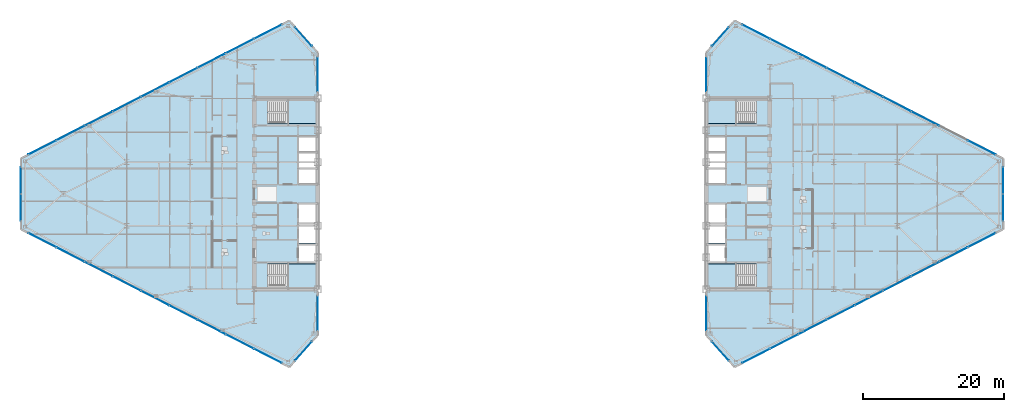
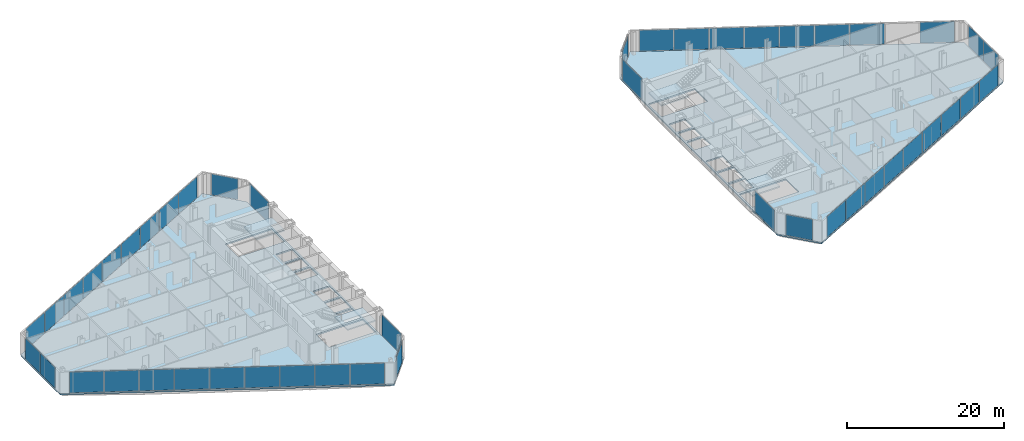
# One storey, part 14 of 24: 47 plates, 6 slabs, 18 elements without a shape of their own.
"""IFC4 building model written with IfcOpenShell, lengths in metres."""

from ifc_helpers import new_model, si_unit, direction, frame, origin, origin_2d, place, context, subcontext, project, spatial, polyline, rectangle, outline, extrude, source, transform, mapped, material, layer, layer_set, type_object, type_shapes, element, aggregate, save


model = new_model("IFC4")

# Units and contexts
model_context = context("Model", 3, precision=1e-05, world=origin(), true_north=direction((0.0, 1.0)))
body_context = subcontext(model_context, "Body", "Model", "MODEL_VIEW")
ifc_project = project(units=[si_unit("LENGTHUNIT", "METRE"), si_unit("AREAUNIT", "SQUARE_METRE"), si_unit("VOLUMEUNIT", "CUBIC_METRE"), si_unit("PLANEANGLEUNIT", "RADIAN"), si_unit("MASSUNIT", "GRAM", prefix="KILO")], contexts=[model_context])

# Site, building, storey
site_placement = place(None, origin())
site = spatial("IfcSite", under=ifc_project, at=site_placement, CompositionType="ELEMENT")
building_placement = place(site_placement, origin())
building = spatial("IfcBuilding", under=site, at=building_placement, Name="Seokmaru Belvedere", CompositionType="ELEMENT")
storey_placement = place(building_placement, frame((0.0, 0.0, 124.800048828125)))
storey = spatial("IfcBuildingStorey", under=building, at=storey_placement, Name="L33", CompositionType="ELEMENT", Elevation=124.800048828125)

# Stair, slab
ifc_material_1 = material(Name="Concrete C40 (40 MPa)", Category="concrete")
stair_type = type_object("IfcStairType", Name="Typical Tower Core Dog-Leg Stair 3600", PredefinedType="TWO_STRAIGHT_RUN_STAIR", material=ifc_material_1)
stair_1_placement = place(storey_placement, origin())
stair_1 = element("IfcStair", 1, at=stair_1_placement, inside=storey, type_object=stair_type, Name="L33 Special Escape Stair ST-W1", PredefinedType="TWO_STRAIGHT_RUN_STAIR")
ifc_layer_1 = layer(ifc_material_1, 0.199951171875)
ifc_layer_set_1 = layer_set([ifc_layer_1], Name="Concrete C40 (40 MPa)")
slab_type_1 = type_object("IfcSlabType", Name="Reinforced Concrete Stair Landing Slab 200", PredefinedType="LANDING", material=ifc_layer_set_1)
slab_1_placement = place(storey_placement, frame((0.0, 0.0, 1.599853515625)))
slab_1 = element("IfcSlab", 2, at=slab_1_placement, type_object=slab_type_1, Name="ST-W1 landing 1", PredefinedType="LANDING", context=body_context, shape_type="SweptSolid", body=[
    extrude(outline(polyline([(-31.8798828125, -13.239990234375), (-27.760009765625, -13.239990234375), (-27.760009765625, -9.949951171875), (-31.8798828125, -9.949951171875), (-31.8798828125, -13.239990234375)])), origin(), (0.0, 0.0, 1.0), 0.2001953125),
])
aggregate(stair_1, [slab_1])

stair_2_placement = place(storey_placement, origin())
stair_2 = element("IfcStair", 3, at=stair_2_placement, inside=storey, type_object=stair_type, Name="L33 Special Escape Stair ST-W2", PredefinedType="TWO_STRAIGHT_RUN_STAIR")
slab_2_placement = place(storey_placement, frame((0.0, 0.0, 1.599853515625)))
slab_2 = element("IfcSlab", 4, at=slab_2_placement, type_object=slab_type_1, Name="ST-W2 landing 1", PredefinedType="LANDING", context=body_context, shape_type="SweptSolid", body=[
    extrude(outline(polyline([(-31.8798828125, 9.949951171875), (-27.760009765625, 9.949951171875), (-27.760009765625, 13.239990234375), (-31.8798828125, 13.239990234375), (-31.8798828125, 9.949951171875)])), origin(), (0.0, 0.0, 1.0), 0.2001953125),
])
aggregate(stair_2, [slab_2])

stair_3_placement = place(storey_placement, origin())
stair_3 = element("IfcStair", 5, at=stair_3_placement, inside=storey, type_object=stair_type, Name="L33 Special Escape Stair ST-E1", PredefinedType="TWO_STRAIGHT_RUN_STAIR")
slab_3_placement = place(storey_placement, frame((0.0, 0.0, 1.599853515625)))
slab_3 = element("IfcSlab", 6, at=slab_3_placement, type_object=slab_type_1, Name="ST-E1 landing 1", PredefinedType="LANDING", context=body_context, shape_type="SweptSolid", body=[
    extrude(outline(polyline([(27.760009765625, -13.239990234375), (31.8798828125, -13.239990234375), (31.8798828125, -9.949951171875), (27.760009765625, -9.949951171875), (27.760009765625, -13.239990234375)])), origin(), (0.0, 0.0, 1.0), 0.2001953125),
])
aggregate(stair_3, [slab_3])

stair_4_placement = place(storey_placement, origin())
stair_4 = element("IfcStair", 7, at=stair_4_placement, inside=storey, type_object=stair_type, Name="L33 Special Escape Stair ST-E2", PredefinedType="TWO_STRAIGHT_RUN_STAIR")
slab_4_placement = place(storey_placement, frame((0.0, 0.0, 1.599853515625)))
slab_4 = element("IfcSlab", 8, at=slab_4_placement, type_object=slab_type_1, Name="ST-E2 landing 1", PredefinedType="LANDING", context=body_context, shape_type="SweptSolid", body=[
    extrude(outline(polyline([(27.760009765625, 9.949951171875), (31.8798828125, 9.949951171875), (31.8798828125, 13.239990234375), (27.760009765625, 13.239990234375), (27.760009765625, 9.949951171875)])), origin(), (0.0, 0.0, 1.0), 0.2001953125),
])
aggregate(stair_4, [slab_4])

# Slabs
ifc_layer_2 = layer(ifc_material_1, 0.219970703125)
ifc_layer_set_2 = layer_set([ifc_layer_2], Name="Concrete C40 (40 MPa)")
slab_type_2 = type_object("IfcSlabType", Name="Typical Tower Composite Floor Slab 220", PredefinedType="FLOOR", material=ifc_layer_set_2)
slab_5_placement = place(storey_placement, frame((0.0, 0.0, -0.219970703125)))
element("IfcSlab", 9, at=slab_5_placement, inside=storey, type_object=slab_type_2, Name="L33 West Leg Floor Slab", PredefinedType="FLOOR", context=body_context, shape_type="SweptSolid", body=[
    extrude(outline(polyline([(-27.5, -20.0), (-27.5, 20.0), (-31.5, 24.5), (-69.5, 5.0), (-69.5, -5.0), (-31.5, -24.5), (-27.5, -20.0)]), holes=[polyline([(-34.60009765625, -13.25), (-27.75, -13.25), (-27.75, -9.949951171875), (-34.60009765625, -9.949951171875), (-34.60009765625, -13.25)]), polyline([(-34.60009765625, 9.949951171875), (-27.75, 9.949951171875), (-27.75, 13.25), (-34.60009765625, 13.25), (-34.60009765625, 9.949951171875)]), polyline([(-30.14990234375, -9.550048828125), (-27.75, -9.550048828125), (-27.75, -7.25), (-30.14990234375, -7.25), (-30.14990234375, -9.550048828125)]), polyline([(-30.14990234375, -6.949951171875), (-27.75, -6.949951171875), (-27.75, -4.35009765625), (-30.14990234375, -4.35009765625), (-30.14990234375, -6.949951171875)]), polyline([(-30.14990234375, -4.050048828125), (-27.75, -4.050048828125), (-27.75, -1.449951171875), (-30.14990234375, -1.449951171875), (-30.14990234375, -4.050048828125)]), polyline([(-30.14990234375, 1.449951171875), (-27.75, 1.449951171875), (-27.75, 3.449951171875), (-30.14990234375, 3.449951171875), (-30.14990234375, 1.449951171875)]), polyline([(-30.14990234375, 3.75), (-27.75, 3.75), (-27.75, 5.75), (-30.14990234375, 5.75), (-30.14990234375, 3.75)]), polyline([(-30.14990234375, 6.050048828125), (-27.75, 6.050048828125), (-27.75, 8.050048828125), (-30.14990234375, 8.050048828125), (-30.14990234375, 6.050048828125)])]), origin(), (0.0, 0.0, 1.0), 0.219970703125),
])
slab_6_placement = place(storey_placement, frame((0.0, 0.0, -0.219970703125)))
element("IfcSlab", 10, at=slab_6_placement, inside=storey, type_object=slab_type_2, Name="L33 East Leg Floor Slab", PredefinedType="FLOOR", context=body_context, shape_type="SweptSolid", body=[
    extrude(outline(polyline([(31.5, -24.5), (69.5, -5.0), (69.5, 5.0), (31.5, 24.5), (27.5, 20.0), (27.5, -20.0), (31.5, -24.5)]), holes=[polyline([(27.75, -13.25), (34.60009765625, -13.25), (34.60009765625, -9.949951171875), (27.75, -9.949951171875), (27.75, -13.25)]), polyline([(27.75, 9.949951171875), (34.60009765625, 9.949951171875), (34.60009765625, 13.25), (27.75, 13.25), (27.75, 9.949951171875)]), polyline([(27.75, -9.550048828125), (30.14990234375, -9.550048828125), (30.14990234375, -7.25), (27.75, -7.25), (27.75, -9.550048828125)]), polyline([(27.75, -6.949951171875), (30.14990234375, -6.949951171875), (30.14990234375, -4.35009765625), (27.75, -4.35009765625), (27.75, -6.949951171875)]), polyline([(27.75, -4.050048828125), (30.14990234375, -4.050048828125), (30.14990234375, -1.449951171875), (27.75, -1.449951171875), (27.75, -4.050048828125)]), polyline([(27.75, 1.449951171875), (30.14990234375, 1.449951171875), (30.14990234375, 3.449951171875), (27.75, 3.449951171875), (27.75, 1.449951171875)]), polyline([(27.75, 3.75), (30.14990234375, 3.75), (30.14990234375, 5.75), (27.75, 5.75), (27.75, 3.75)]), polyline([(27.75, 6.050048828125), (30.14990234375, 6.050048828125), (30.14990234375, 8.050048828125), (27.75, 8.050048828125), (27.75, 6.050048828125)])]), origin(), (0.0, 0.0, 1.0), 0.219970703125),
])

# Curtain wall, plate
ifc_material_2 = material(Name="Bronze Triple Insulating Glass", Category="glass")
ifc_layer_3 = layer(ifc_material_2, 0.195068359375)
ifc_layer_set_3 = layer_set([ifc_layer_3], Name="Bronze Triple Insulating Glass")
curtain_wall_type = type_object("IfcCurtainWallType", Name="Sky-Lobby and Mid-Rise Curtain Wall System CW-4", PredefinedType="NOTDEFINED", material=ifc_layer_set_3)
curtain_wall_1_placement = place(storey_placement, origin())
curtain_wall_1 = element("IfcCurtainWall", 11, at=curtain_wall_1_placement, inside=storey, type_object=curtain_wall_type, Name="L33 Curtain Wall WSP_1", PredefinedType="NOTDEFINED")
ifc_layer_4 = layer(ifc_material_2, 0.035888671875)
ifc_layer_set_4 = layer_set([ifc_layer_4], Name="Bronze Triple Insulating Glass")
plate_type = type_object("IfcPlateType", Name="Bronze Triple Vision Glazing Panel 36", PredefinedType="CURTAIN_PANEL", material=ifc_layer_set_4)
shared_shape_1 = source(origin(), body_context, "Body", "SweptSolid", [
    extrude(rectangle(XDim=4.909912109375, YDim=0.035888671875, at=origin_2d()), origin(), (0.0, 0.0, 1.0), 3.25),
])
plate_1_placement = place(storey_placement, frame((-27.5, -16.905029296875, 0.06494140625), z_axis=(0.0, 0.0, 1.0), x_axis=(0.0, 1.0, 0.0)))
plate_1 = element("IfcPlate", 12, at=plate_1_placement, type_object=plate_type, Name="CW:L33:WSP_1 Glazing Panel 1-1", PredefinedType="CURTAIN_PANEL", context=body_context, shape_type="MappedRepresentation", body=[
    mapped(shared_shape_1, transform((0.0, 0.0, 0.0), scale=1.0)),
])
aggregate(curtain_wall_1, [plate_1])

curtain_wall_2_placement = place(storey_placement, origin())
curtain_wall_2 = element("IfcCurtainWall", 13, at=curtain_wall_2_placement, inside=storey, type_object=curtain_wall_type, Name="L33 Curtain Wall WSP_2", PredefinedType="NOTDEFINED")
plate_2_placement = place(storey_placement, frame((-27.5, 16.905029296875, 0.06494140625), z_axis=(0.0, 0.0, 1.0), x_axis=(0.0, 1.0, 0.0)))
plate_2 = element("IfcPlate", 14, at=plate_2_placement, type_object=plate_type, Name="CW:L33:WSP_2 Glazing Panel 1-1", PredefinedType="CURTAIN_PANEL", context=body_context, shape_type="MappedRepresentation", body=[
    mapped(shared_shape_1, transform((0.0, 0.0, 0.0), scale=1.0)),
])
aggregate(curtain_wall_2, [plate_2])

curtain_wall_3_placement = place(storey_placement, origin())
curtain_wall_3 = element("IfcCurtainWall", 15, at=curtain_wall_3_placement, inside=storey, type_object=curtain_wall_type, Name="L33 Curtain Wall ESP_1", PredefinedType="NOTDEFINED")
plate_3_placement = place(storey_placement, frame((27.5, -16.905029296875, 0.06494140625), z_axis=(0.0, 0.0, 1.0), x_axis=(0.0, -1.0, 0.0)))
plate_3 = element("IfcPlate", 16, at=plate_3_placement, type_object=plate_type, Name="CW:L33:ESP_1 Glazing Panel 1-1", PredefinedType="CURTAIN_PANEL", context=body_context, shape_type="MappedRepresentation", body=[
    mapped(shared_shape_1, transform((0.0, 0.0, 0.0), scale=1.0)),
])
aggregate(curtain_wall_3, [plate_3])

curtain_wall_4_placement = place(storey_placement, origin())
curtain_wall_4 = element("IfcCurtainWall", 17, at=curtain_wall_4_placement, inside=storey, type_object=curtain_wall_type, Name="L33 Curtain Wall ESP_2", PredefinedType="NOTDEFINED")
plate_4_placement = place(storey_placement, frame((27.5, 16.905029296875, 0.06494140625), z_axis=(0.0, 0.0, 1.0), x_axis=(0.0, -1.0, 0.0)))
plate_4 = element("IfcPlate", 18, at=plate_4_placement, type_object=plate_type, Name="CW:L33:ESP_2 Glazing Panel 1-1", PredefinedType="CURTAIN_PANEL", context=body_context, shape_type="MappedRepresentation", body=[
    mapped(shared_shape_1, transform((0.0, 0.0, 0.0), scale=1.0)),
])
aggregate(curtain_wall_4, [plate_4])

curtain_wall_5_placement = place(storey_placement, origin())
curtain_wall_5 = element("IfcCurtainWall", 19, at=curtain_wall_5_placement, inside=storey, type_object=curtain_wall_type, Name="L33 Curtain Wall WF2", PredefinedType="NOTDEFINED")
shared_shape_2 = source(origin(), body_context, "Body", "SweptSolid", [
    extrude(rectangle(XDim=3.580810546875, YDim=0.035888671875, at=origin_2d()), origin(), (0.0, 0.0, 1.0), 3.25),
])
plate_5_placement = place(storey_placement, frame((-29.5, 22.25, 0.06494140625), z_axis=(0.0, 0.0, 1.0), x_axis=(-0.664363325694, 0.747409774804, 0.0)))
plate_5 = element("IfcPlate", 20, at=plate_5_placement, type_object=plate_type, Name="CW:L33:WF2 Glazing Panel 1-1", PredefinedType="CURTAIN_PANEL", context=body_context, shape_type="MappedRepresentation", body=[
    mapped(shared_shape_2, transform((0.0, 0.0, 0.0), scale=1.0)),
])
aggregate(curtain_wall_5, [plate_5])

curtain_wall_6_placement = place(storey_placement, origin())
curtain_wall_6 = element("IfcCurtainWall", 21, at=curtain_wall_6_placement, inside=storey, type_object=curtain_wall_type, Name="L33 Curtain Wall WF6", PredefinedType="NOTDEFINED")
plate_6_placement = place(storey_placement, frame((-29.5, -22.25, 0.06494140625), z_axis=(0.0, 0.0, 1.0), x_axis=(0.664363325694, 0.747409774804, 0.0)))
plate_6 = element("IfcPlate", 22, at=plate_6_placement, type_object=plate_type, Name="CW:L33:WF6 Glazing Panel 1-1", PredefinedType="CURTAIN_PANEL", context=body_context, shape_type="MappedRepresentation", body=[
    mapped(shared_shape_2, transform((0.0, 0.0, 0.0), scale=1.0)),
])
aggregate(curtain_wall_6, [plate_6])

curtain_wall_7_placement = place(storey_placement, origin())
curtain_wall_7 = element("IfcCurtainWall", 23, at=curtain_wall_7_placement, inside=storey, type_object=curtain_wall_type, Name="L33 Curtain Wall EF4", PredefinedType="NOTDEFINED")
plate_7_placement = place(storey_placement, frame((29.5, 22.25, 0.06494140625), z_axis=(0.0, 0.0, 1.0), x_axis=(-0.664363325694, -0.747409774804, 0.0)))
plate_7 = element("IfcPlate", 24, at=plate_7_placement, type_object=plate_type, Name="CW:L33:EF4 Glazing Panel 1-1", PredefinedType="CURTAIN_PANEL", context=body_context, shape_type="MappedRepresentation", body=[
    mapped(shared_shape_2, transform((0.0, 0.0, 0.0), scale=1.0)),
])
aggregate(curtain_wall_7, [plate_7])

curtain_wall_8_placement = place(storey_placement, origin())
curtain_wall_8 = element("IfcCurtainWall", 25, at=curtain_wall_8_placement, inside=storey, type_object=curtain_wall_type, Name="L33 Curtain Wall EF6", PredefinedType="NOTDEFINED")
plate_8_placement = place(storey_placement, frame((29.5, -22.25, 0.06494140625), z_axis=(0.0, 0.0, 1.0), x_axis=(0.664363325694, -0.747409774804, 0.0)))
plate_8 = element("IfcPlate", 26, at=plate_8_placement, type_object=plate_type, Name="CW:L33:EF6 Glazing Panel 1-1", PredefinedType="CURTAIN_PANEL", context=body_context, shape_type="MappedRepresentation", body=[
    mapped(shared_shape_2, transform((0.0, 0.0, 0.0), scale=1.0)),
])
aggregate(curtain_wall_8, [plate_8])

# Curtain wall, plates
curtain_wall_9_placement = place(storey_placement, origin())
curtain_wall_9 = element("IfcCurtainWall", 27, at=curtain_wall_9_placement, inside=storey, type_object=curtain_wall_type, Name="L33 Curtain Wall WF3", PredefinedType="NOTDEFINED")
shared_shape_3 = source(origin(), body_context, "Body", "SweptSolid", [
    extrude(rectangle(XDim=4.38525390625, YDim=0.035888671875, at=origin_2d()), origin(), (0.0, 0.0, 1.0), 3.25),
])
plate_9_placement = place(storey_placement, frame((-34.5361328125, 22.94189453125, 0.06494140625), z_axis=(0.0, 0.0, 1.0), x_axis=(-0.889695432562, -0.456554528263, 0.0)))
plate_9 = element("IfcPlate", 28, at=plate_9_placement, type_object=plate_type, Name="CW:L33:WF3 Glazing Panel 1-1", PredefinedType="CURTAIN_PANEL", context=body_context, shape_type="MappedRepresentation", body=[
    mapped(shared_shape_3, transform((0.0, 0.0, 0.0), scale=1.0)),
])
plate_10_placement = place(storey_placement, frame((-66.4638671875, 6.55810546875, 0.06494140625), z_axis=(0.0, 0.0, 1.0), x_axis=(-0.889695432562, -0.456554528263, 0.0)))
plate_10 = element("IfcPlate", 29, at=plate_10_placement, type_object=plate_type, Name="CW:L33:WF3 Glazing Panel 9-1", PredefinedType="CURTAIN_PANEL", context=body_context, shape_type="MappedRepresentation", body=[
    mapped(shared_shape_3, transform((0.0, 0.0, 0.0), scale=1.0)),
])

curtain_wall_10_placement = place(storey_placement, origin())
curtain_wall_10 = element("IfcCurtainWall", 30, at=curtain_wall_10_placement, inside=storey, type_object=curtain_wall_type, Name="L33 Curtain Wall WF5", PredefinedType="NOTDEFINED")
plate_11_placement = place(storey_placement, frame((-66.4638671875, -6.55810546875, 0.06494140625), z_axis=(0.0, 0.0, 1.0), x_axis=(0.889695432562, -0.456554528263, 0.0)))
plate_11 = element("IfcPlate", 31, at=plate_11_placement, type_object=plate_type, Name="CW:L33:WF5 Glazing Panel 1-1", PredefinedType="CURTAIN_PANEL", context=body_context, shape_type="MappedRepresentation", body=[
    mapped(shared_shape_3, transform((0.0, 0.0, 0.0), scale=1.0)),
])
plate_12_placement = place(storey_placement, frame((-34.5361328125, -22.94189453125, 0.06494140625), z_axis=(0.0, 0.0, 1.0), x_axis=(0.889695432562, -0.456554528263, 0.0)))
plate_12 = element("IfcPlate", 32, at=plate_12_placement, type_object=plate_type, Name="CW:L33:WF5 Glazing Panel 9-1", PredefinedType="CURTAIN_PANEL", context=body_context, shape_type="MappedRepresentation", body=[
    mapped(shared_shape_3, transform((0.0, 0.0, 0.0), scale=1.0)),
])

curtain_wall_11_placement = place(storey_placement, origin())
curtain_wall_11 = element("IfcCurtainWall", 33, at=curtain_wall_11_placement, inside=storey, type_object=curtain_wall_type, Name="L33 Curtain Wall EF1", PredefinedType="NOTDEFINED")
plate_13_placement = place(storey_placement, frame((34.5361328125, -22.94189453125, 0.06494140625), z_axis=(0.0, 0.0, 1.0), x_axis=(0.889695432562, 0.456554528263, 0.0)))
plate_13 = element("IfcPlate", 34, at=plate_13_placement, type_object=plate_type, Name="CW:L33:EF1 Glazing Panel 1-1", PredefinedType="CURTAIN_PANEL", context=body_context, shape_type="MappedRepresentation", body=[
    mapped(shared_shape_3, transform((0.0, 0.0, 0.0), scale=1.0)),
])
plate_14_placement = place(storey_placement, frame((66.4638671875, -6.55810546875, 0.06494140625), z_axis=(0.0, 0.0, 1.0), x_axis=(0.889695432562, 0.456554528263, 0.0)))
plate_14 = element("IfcPlate", 35, at=plate_14_placement, type_object=plate_type, Name="CW:L33:EF1 Glazing Panel 9-1", PredefinedType="CURTAIN_PANEL", context=body_context, shape_type="MappedRepresentation", body=[
    mapped(shared_shape_3, transform((0.0, 0.0, 0.0), scale=1.0)),
])

curtain_wall_12_placement = place(storey_placement, origin())
curtain_wall_12 = element("IfcCurtainWall", 36, at=curtain_wall_12_placement, inside=storey, type_object=curtain_wall_type, Name="L33 Curtain Wall EF3", PredefinedType="NOTDEFINED")
plate_15_placement = place(storey_placement, frame((66.4638671875, 6.55810546875, 0.06494140625), z_axis=(0.0, 0.0, 1.0), x_axis=(-0.889695432562, 0.456554528263, 0.0)))
plate_15 = element("IfcPlate", 37, at=plate_15_placement, type_object=plate_type, Name="CW:L33:EF3 Glazing Panel 1-1", PredefinedType="CURTAIN_PANEL", context=body_context, shape_type="MappedRepresentation", body=[
    mapped(shared_shape_3, transform((0.0, 0.0, 0.0), scale=1.0)),
])
plate_16_placement = place(storey_placement, frame((34.5361328125, 22.94189453125, 0.06494140625), z_axis=(0.0, 0.0, 1.0), x_axis=(-0.889695432562, 0.456554528263, 0.0)))
plate_16 = element("IfcPlate", 38, at=plate_16_placement, type_object=plate_type, Name="CW:L33:EF3 Glazing Panel 9-1", PredefinedType="CURTAIN_PANEL", context=body_context, shape_type="MappedRepresentation", body=[
    mapped(shared_shape_3, transform((0.0, 0.0, 0.0), scale=1.0)),
])

# Plate
shared_shape_4 = source(origin(), body_context, "Body", "SweptSolid", [
    extrude(rectangle(XDim=4.420166015625, YDim=0.035888671875, at=origin_2d()), origin(), (0.0, 0.0, 1.0), 3.25),
])
plate_17_placement = place(storey_placement, frame((-38.515380859375, 20.89990234375, 0.06494140625), z_axis=(0.0, 0.0, 1.0), x_axis=(-0.889695432562, -0.456554528263, 0.0)))
plate_17 = element("IfcPlate", 39, at=plate_17_placement, type_object=plate_type, Name="CW:L33:WF3 Glazing Panel 2-1", PredefinedType="CURTAIN_PANEL", context=body_context, shape_type="MappedRepresentation", body=[
    mapped(shared_shape_4, transform((0.0, 0.0, 0.0), scale=1.0)),
])

plate_18_placement = place(storey_placement, frame((-42.51025390625, 18.85009765625, 0.06494140625), z_axis=(0.0, 0.0, 1.0), x_axis=(-0.889695432562, -0.456554528263, 0.0)))
plate_18 = element("IfcPlate", 40, at=plate_18_placement, type_object=plate_type, Name="CW:L33:WF3 Glazing Panel 3-1", PredefinedType="CURTAIN_PANEL", context=body_context, shape_type="MappedRepresentation", body=[
    mapped(shared_shape_4, transform((0.0, 0.0, 0.0), scale=1.0)),
])

plate_19_placement = place(storey_placement, frame((-46.505126953125, 16.800048828125, 0.06494140625), z_axis=(0.0, 0.0, 1.0), x_axis=(-0.889695432562, -0.456554528263, 0.0)))
plate_19 = element("IfcPlate", 41, at=plate_19_placement, type_object=plate_type, Name="CW:L33:WF3 Glazing Panel 4-1", PredefinedType="CURTAIN_PANEL", context=body_context, shape_type="MappedRepresentation", body=[
    mapped(shared_shape_4, transform((0.0, 0.0, 0.0), scale=1.0)),
])

plate_20_placement = place(storey_placement, frame((-50.5, 14.75, 0.06494140625), z_axis=(0.0, 0.0, 1.0), x_axis=(-0.889695432562, -0.456554528263, 0.0)))
plate_20 = element("IfcPlate", 42, at=plate_20_placement, type_object=plate_type, Name="CW:L33:WF3 Glazing Panel 5-1", PredefinedType="CURTAIN_PANEL", context=body_context, shape_type="MappedRepresentation", body=[
    mapped(shared_shape_4, transform((0.0, 0.0, 0.0), scale=1.0)),
])

plate_21_placement = place(storey_placement, frame((-54.494873046875, 12.699951171875, 0.06494140625), z_axis=(0.0, 0.0, 1.0), x_axis=(-0.889695432562, -0.456554528263, 0.0)))
plate_21 = element("IfcPlate", 43, at=plate_21_placement, type_object=plate_type, Name="CW:L33:WF3 Glazing Panel 6-1", PredefinedType="CURTAIN_PANEL", context=body_context, shape_type="MappedRepresentation", body=[
    mapped(shared_shape_4, transform((0.0, 0.0, 0.0), scale=1.0)),
])

plate_22_placement = place(storey_placement, frame((-58.48974609375, 10.64990234375, 0.06494140625), z_axis=(0.0, 0.0, 1.0), x_axis=(-0.889695432562, -0.456554528263, 0.0)))
plate_22 = element("IfcPlate", 44, at=plate_22_placement, type_object=plate_type, Name="CW:L33:WF3 Glazing Panel 7-1", PredefinedType="CURTAIN_PANEL", context=body_context, shape_type="MappedRepresentation", body=[
    mapped(shared_shape_4, transform((0.0, 0.0, 0.0), scale=1.0)),
])

plate_23_placement = place(storey_placement, frame((-62.484619140625, 8.60009765625, 0.06494140625), z_axis=(0.0, 0.0, 1.0), x_axis=(-0.889695432562, -0.456554528263, 0.0)))
plate_23 = element("IfcPlate", 45, at=plate_23_placement, type_object=plate_type, Name="CW:L33:WF3 Glazing Panel 8-1", PredefinedType="CURTAIN_PANEL", context=body_context, shape_type="MappedRepresentation", body=[
    mapped(shared_shape_4, transform((0.0, 0.0, 0.0), scale=1.0)),
])

aggregate(curtain_wall_9, [plate_9, plate_17, plate_18, plate_19, plate_20, plate_21, plate_22, plate_23, plate_10])

plate_24_placement = place(storey_placement, frame((-62.484619140625, -8.60009765625, 0.06494140625), z_axis=(0.0, 0.0, 1.0), x_axis=(0.889695432562, -0.456554528263, 0.0)))
plate_24 = element("IfcPlate", 46, at=plate_24_placement, type_object=plate_type, Name="CW:L33:WF5 Glazing Panel 2-1", PredefinedType="CURTAIN_PANEL", context=body_context, shape_type="MappedRepresentation", body=[
    mapped(shared_shape_4, transform((0.0, 0.0, 0.0), scale=1.0)),
])

plate_25_placement = place(storey_placement, frame((-58.48974609375, -10.64990234375, 0.06494140625), z_axis=(0.0, 0.0, 1.0), x_axis=(0.889695432562, -0.456554528263, 0.0)))
plate_25 = element("IfcPlate", 47, at=plate_25_placement, type_object=plate_type, Name="CW:L33:WF5 Glazing Panel 3-1", PredefinedType="CURTAIN_PANEL", context=body_context, shape_type="MappedRepresentation", body=[
    mapped(shared_shape_4, transform((0.0, 0.0, 0.0), scale=1.0)),
])

plate_26_placement = place(storey_placement, frame((-54.494873046875, -12.699951171875, 0.06494140625), z_axis=(0.0, 0.0, 1.0), x_axis=(0.889695432562, -0.456554528263, 0.0)))
plate_26 = element("IfcPlate", 48, at=plate_26_placement, type_object=plate_type, Name="CW:L33:WF5 Glazing Panel 4-1", PredefinedType="CURTAIN_PANEL", context=body_context, shape_type="MappedRepresentation", body=[
    mapped(shared_shape_4, transform((0.0, 0.0, 0.0), scale=1.0)),
])

plate_27_placement = place(storey_placement, frame((-50.5, -14.75, 0.06494140625), z_axis=(0.0, 0.0, 1.0), x_axis=(0.889695432562, -0.456554528263, 0.0)))
plate_27 = element("IfcPlate", 49, at=plate_27_placement, type_object=plate_type, Name="CW:L33:WF5 Glazing Panel 5-1", PredefinedType="CURTAIN_PANEL", context=body_context, shape_type="MappedRepresentation", body=[
    mapped(shared_shape_4, transform((0.0, 0.0, 0.0), scale=1.0)),
])

plate_28_placement = place(storey_placement, frame((-46.505126953125, -16.800048828125, 0.06494140625), z_axis=(0.0, 0.0, 1.0), x_axis=(0.889695432562, -0.456554528263, 0.0)))
plate_28 = element("IfcPlate", 50, at=plate_28_placement, type_object=plate_type, Name="CW:L33:WF5 Glazing Panel 6-1", PredefinedType="CURTAIN_PANEL", context=body_context, shape_type="MappedRepresentation", body=[
    mapped(shared_shape_4, transform((0.0, 0.0, 0.0), scale=1.0)),
])

plate_29_placement = place(storey_placement, frame((-42.51025390625, -18.85009765625, 0.06494140625), z_axis=(0.0, 0.0, 1.0), x_axis=(0.889695432562, -0.456554528263, 0.0)))
plate_29 = element("IfcPlate", 51, at=plate_29_placement, type_object=plate_type, Name="CW:L33:WF5 Glazing Panel 7-1", PredefinedType="CURTAIN_PANEL", context=body_context, shape_type="MappedRepresentation", body=[
    mapped(shared_shape_4, transform((0.0, 0.0, 0.0), scale=1.0)),
])

plate_30_placement = place(storey_placement, frame((-38.515380859375, -20.89990234375, 0.06494140625), z_axis=(0.0, 0.0, 1.0), x_axis=(0.889695432562, -0.456554528263, 0.0)))
plate_30 = element("IfcPlate", 52, at=plate_30_placement, type_object=plate_type, Name="CW:L33:WF5 Glazing Panel 8-1", PredefinedType="CURTAIN_PANEL", context=body_context, shape_type="MappedRepresentation", body=[
    mapped(shared_shape_4, transform((0.0, 0.0, 0.0), scale=1.0)),
])

aggregate(curtain_wall_10, [plate_11, plate_24, plate_25, plate_26, plate_27, plate_28, plate_29, plate_30, plate_12])

plate_31_placement = place(storey_placement, frame((38.515380859375, -20.89990234375, 0.06494140625), z_axis=(0.0, 0.0, 1.0), x_axis=(0.889695432562, 0.456554528263, 0.0)))
plate_31 = element("IfcPlate", 53, at=plate_31_placement, type_object=plate_type, Name="CW:L33:EF1 Glazing Panel 2-1", PredefinedType="CURTAIN_PANEL", context=body_context, shape_type="MappedRepresentation", body=[
    mapped(shared_shape_4, transform((0.0, 0.0, 0.0), scale=1.0)),
])

plate_32_placement = place(storey_placement, frame((42.51025390625, -18.85009765625, 0.06494140625), z_axis=(0.0, 0.0, 1.0), x_axis=(0.889695432562, 0.456554528263, 0.0)))
plate_32 = element("IfcPlate", 54, at=plate_32_placement, type_object=plate_type, Name="CW:L33:EF1 Glazing Panel 3-1", PredefinedType="CURTAIN_PANEL", context=body_context, shape_type="MappedRepresentation", body=[
    mapped(shared_shape_4, transform((0.0, 0.0, 0.0), scale=1.0)),
])

plate_33_placement = place(storey_placement, frame((46.505126953125, -16.800048828125, 0.06494140625), z_axis=(0.0, 0.0, 1.0), x_axis=(0.889695432562, 0.456554528263, 0.0)))
plate_33 = element("IfcPlate", 55, at=plate_33_placement, type_object=plate_type, Name="CW:L33:EF1 Glazing Panel 4-1", PredefinedType="CURTAIN_PANEL", context=body_context, shape_type="MappedRepresentation", body=[
    mapped(shared_shape_4, transform((0.0, 0.0, 0.0), scale=1.0)),
])

plate_34_placement = place(storey_placement, frame((50.5, -14.75, 0.06494140625), z_axis=(0.0, 0.0, 1.0), x_axis=(0.889695432562, 0.456554528263, 0.0)))
plate_34 = element("IfcPlate", 56, at=plate_34_placement, type_object=plate_type, Name="CW:L33:EF1 Glazing Panel 5-1", PredefinedType="CURTAIN_PANEL", context=body_context, shape_type="MappedRepresentation", body=[
    mapped(shared_shape_4, transform((0.0, 0.0, 0.0), scale=1.0)),
])

plate_35_placement = place(storey_placement, frame((54.494873046875, -12.699951171875, 0.06494140625), z_axis=(0.0, 0.0, 1.0), x_axis=(0.889695432562, 0.456554528263, 0.0)))
plate_35 = element("IfcPlate", 57, at=plate_35_placement, type_object=plate_type, Name="CW:L33:EF1 Glazing Panel 6-1", PredefinedType="CURTAIN_PANEL", context=body_context, shape_type="MappedRepresentation", body=[
    mapped(shared_shape_4, transform((0.0, 0.0, 0.0), scale=1.0)),
])

plate_36_placement = place(storey_placement, frame((58.48974609375, -10.64990234375, 0.06494140625), z_axis=(0.0, 0.0, 1.0), x_axis=(0.889695432562, 0.456554528263, 0.0)))
plate_36 = element("IfcPlate", 58, at=plate_36_placement, type_object=plate_type, Name="CW:L33:EF1 Glazing Panel 7-1", PredefinedType="CURTAIN_PANEL", context=body_context, shape_type="MappedRepresentation", body=[
    mapped(shared_shape_4, transform((0.0, 0.0, 0.0), scale=1.0)),
])

plate_37_placement = place(storey_placement, frame((62.484619140625, -8.60009765625, 0.06494140625), z_axis=(0.0, 0.0, 1.0), x_axis=(0.889695432562, 0.456554528263, 0.0)))
plate_37 = element("IfcPlate", 59, at=plate_37_placement, type_object=plate_type, Name="CW:L33:EF1 Glazing Panel 8-1", PredefinedType="CURTAIN_PANEL", context=body_context, shape_type="MappedRepresentation", body=[
    mapped(shared_shape_4, transform((0.0, 0.0, 0.0), scale=1.0)),
])

aggregate(curtain_wall_11, [plate_13, plate_31, plate_32, plate_33, plate_34, plate_35, plate_36, plate_37, plate_14])

plate_38_placement = place(storey_placement, frame((58.48974609375, 10.64990234375, 0.06494140625), z_axis=(0.0, 0.0, 1.0), x_axis=(-0.889695432562, 0.456554528263, 0.0)))
plate_38 = element("IfcPlate", 60, at=plate_38_placement, type_object=plate_type, Name="CW:L33:EF3 Glazing Panel 3-1", PredefinedType="CURTAIN_PANEL", context=body_context, shape_type="MappedRepresentation", body=[
    mapped(shared_shape_4, transform((0.0, 0.0, 0.0), scale=1.0)),
])

plate_39_placement = place(storey_placement, frame((54.494873046875, 12.699951171875, 0.06494140625), z_axis=(0.0, 0.0, 1.0), x_axis=(-0.889695432562, 0.456554528263, 0.0)))
plate_39 = element("IfcPlate", 61, at=plate_39_placement, type_object=plate_type, Name="CW:L33:EF3 Glazing Panel 4-1", PredefinedType="CURTAIN_PANEL", context=body_context, shape_type="MappedRepresentation", body=[
    mapped(shared_shape_4, transform((0.0, 0.0, 0.0), scale=1.0)),
])

plate_40_placement = place(storey_placement, frame((50.5, 14.75, 0.06494140625), z_axis=(0.0, 0.0, 1.0), x_axis=(-0.889695432562, 0.456554528263, 0.0)))
plate_40 = element("IfcPlate", 62, at=plate_40_placement, type_object=plate_type, Name="CW:L33:EF3 Glazing Panel 5-1", PredefinedType="CURTAIN_PANEL", context=body_context, shape_type="MappedRepresentation", body=[
    mapped(shared_shape_4, transform((0.0, 0.0, 0.0), scale=1.0)),
])

plate_41_placement = place(storey_placement, frame((46.505126953125, 16.800048828125, 0.06494140625), z_axis=(0.0, 0.0, 1.0), x_axis=(-0.889695432562, 0.456554528263, 0.0)))
plate_41 = element("IfcPlate", 63, at=plate_41_placement, type_object=plate_type, Name="CW:L33:EF3 Glazing Panel 6-1", PredefinedType="CURTAIN_PANEL", context=body_context, shape_type="MappedRepresentation", body=[
    mapped(shared_shape_4, transform((0.0, 0.0, 0.0), scale=1.0)),
])

plate_42_placement = place(storey_placement, frame((42.51025390625, 18.85009765625, 0.06494140625), z_axis=(0.0, 0.0, 1.0), x_axis=(-0.889695432562, 0.456554528263, 0.0)))
plate_42 = element("IfcPlate", 64, at=plate_42_placement, type_object=plate_type, Name="CW:L33:EF3 Glazing Panel 7-1", PredefinedType="CURTAIN_PANEL", context=body_context, shape_type="MappedRepresentation", body=[
    mapped(shared_shape_4, transform((0.0, 0.0, 0.0), scale=1.0)),
])

plate_43_placement = place(storey_placement, frame((38.515380859375, 20.89990234375, 0.06494140625), z_axis=(0.0, 0.0, 1.0), x_axis=(-0.889695432562, 0.456554528263, 0.0)))
plate_43 = element("IfcPlate", 65, at=plate_43_placement, type_object=plate_type, Name="CW:L33:EF3 Glazing Panel 8-1", PredefinedType="CURTAIN_PANEL", context=body_context, shape_type="MappedRepresentation", body=[
    mapped(shared_shape_4, transform((0.0, 0.0, 0.0), scale=1.0)),
])

aggregate(curtain_wall_12, [plate_15, plate_38, plate_39, plate_40, plate_41, plate_42, plate_43, plate_16])

# Curtain wall, plates
curtain_wall_13_placement = place(storey_placement, origin())
curtain_wall_13 = element("IfcCurtainWall", 66, at=curtain_wall_13_placement, inside=storey, type_object=curtain_wall_type, Name="L33 Curtain Wall WF4", PredefinedType="NOTDEFINED")
shared_shape_5 = source(origin(), body_context, "Body", "SweptSolid", [
    extrude(rectangle(XDim=3.7451171875, YDim=0.035888671875, at=origin_2d()), origin(), (0.0, 0.0, 1.0), 3.25),
])
type_shapes(plate_type, [shared_shape_1, shared_shape_2, shared_shape_3, shared_shape_4, shared_shape_5])
plate_44_placement = place(storey_placement, frame((-69.5, 1.907470703125, 0.06494140625), z_axis=(0.0, 0.0, 1.0), x_axis=(0.0, -1.0, 0.0)))
plate_44 = element("IfcPlate", 67, at=plate_44_placement, type_object=plate_type, Name="CW:L33:WF4 Glazing Panel 1-1", PredefinedType="CURTAIN_PANEL", context=body_context, shape_type="MappedRepresentation", body=[
    mapped(shared_shape_5, transform((0.0, 0.0, 0.0), scale=1.0)),
])
plate_45_placement = place(storey_placement, frame((-69.5, -1.907470703125, 0.06494140625), z_axis=(0.0, 0.0, 1.0), x_axis=(0.0, -1.0, 0.0)))
plate_45 = element("IfcPlate", 68, at=plate_45_placement, type_object=plate_type, Name="CW:L33:WF4 Glazing Panel 2-1", PredefinedType="CURTAIN_PANEL", context=body_context, shape_type="MappedRepresentation", body=[
    mapped(shared_shape_5, transform((0.0, 0.0, 0.0), scale=1.0)),
])
aggregate(curtain_wall_13, [plate_44, plate_45])

curtain_wall_14_placement = place(storey_placement, origin())
curtain_wall_14 = element("IfcCurtainWall", 69, at=curtain_wall_14_placement, inside=storey, type_object=curtain_wall_type, Name="L33 Curtain Wall EF2", PredefinedType="NOTDEFINED")
plate_46_placement = place(storey_placement, frame((69.5, -1.907470703125, 0.06494140625), z_axis=(0.0, 0.0, 1.0), x_axis=(0.0, 1.0, 0.0)))
plate_46 = element("IfcPlate", 70, at=plate_46_placement, type_object=plate_type, Name="CW:L33:EF2 Glazing Panel 1-1", PredefinedType="CURTAIN_PANEL", context=body_context, shape_type="MappedRepresentation", body=[
    mapped(shared_shape_5, transform((0.0, 0.0, 0.0), scale=1.0)),
])
plate_47_placement = place(storey_placement, frame((69.5, 1.907470703125, 0.06494140625), z_axis=(0.0, 0.0, 1.0), x_axis=(0.0, 1.0, 0.0)))
plate_47 = element("IfcPlate", 71, at=plate_47_placement, type_object=plate_type, Name="CW:L33:EF2 Glazing Panel 2-1", PredefinedType="CURTAIN_PANEL", context=body_context, shape_type="MappedRepresentation", body=[
    mapped(shared_shape_5, transform((0.0, 0.0, 0.0), scale=1.0)),
])
aggregate(curtain_wall_14, [plate_46, plate_47])

save(model, "model.ifc")
